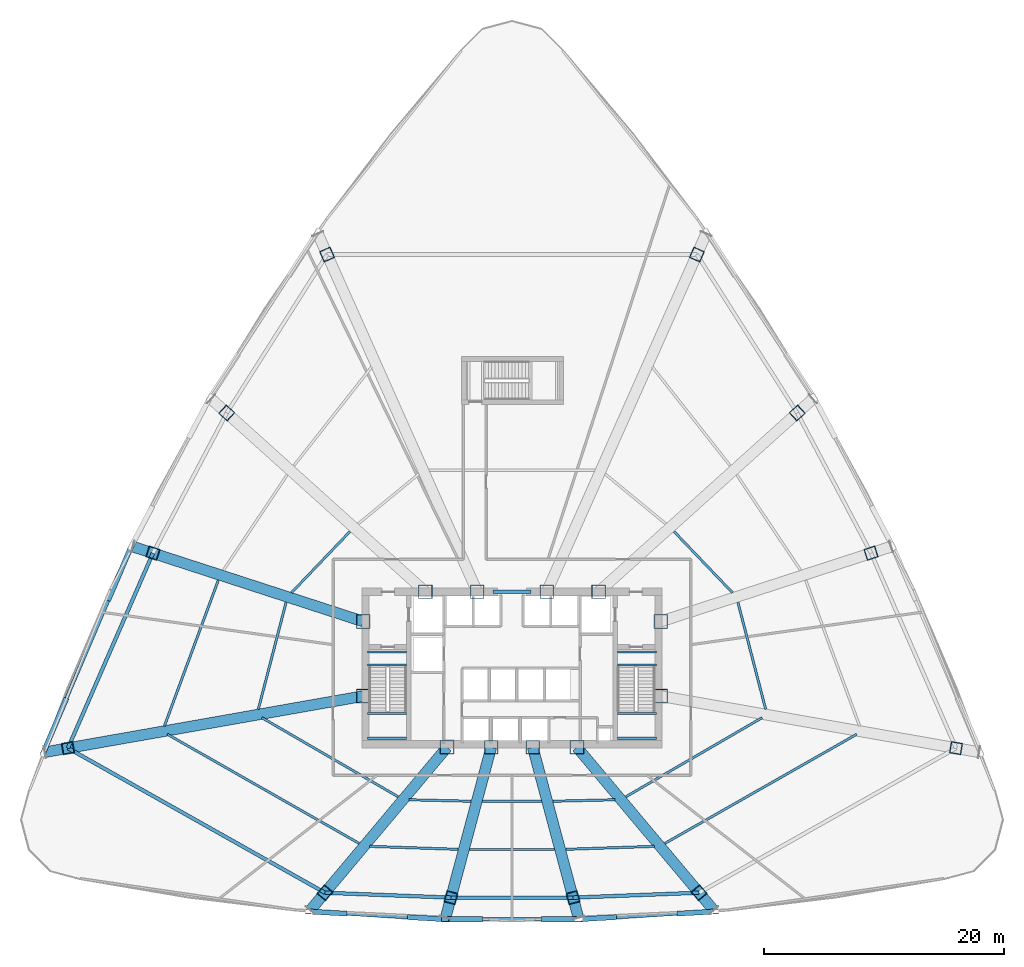
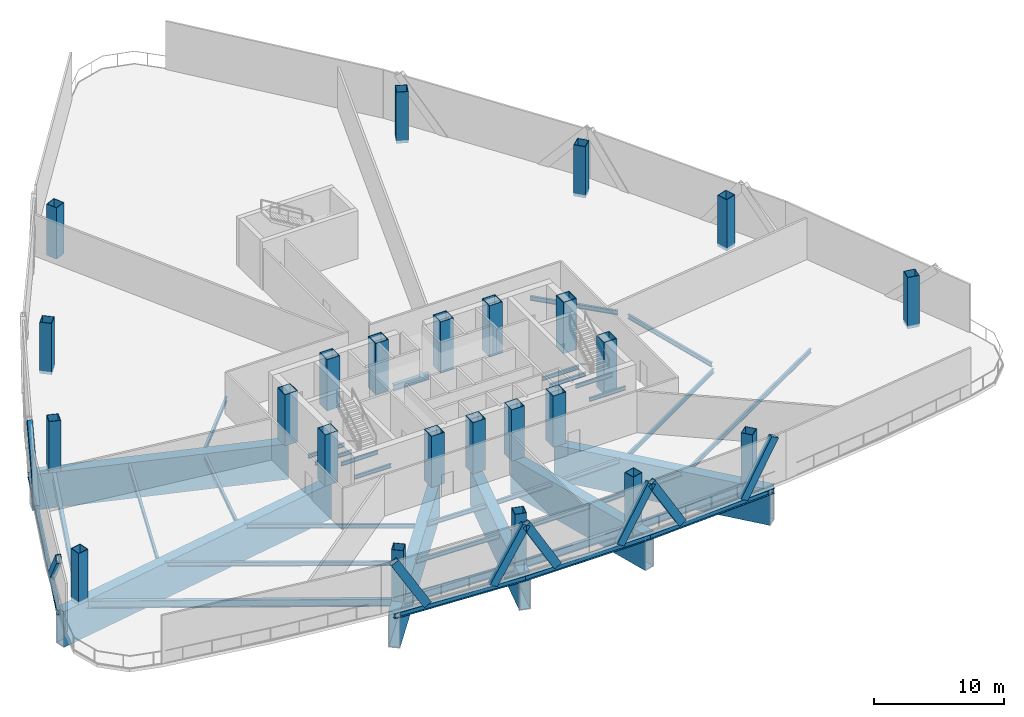
# One storey, part 1 of 15: 39 beams, 24 columns, 8 members.
"""IFC4 building model written with IfcOpenShell, lengths in metres."""

from ifc_helpers import new_model, si_unit, direction, frame, origin, origin_2d, place, context, subcontext, project, spatial, hollow_rectangle, i_section, extrude, source, transform, mapped, material, material_profile, profile_set, type_object, element, save


model = new_model("IFC4")

# Units and contexts
model_context = context("Model", 3, precision=1e-05, world=origin(), true_north=direction((0.0, 1.0)))
body_context = subcontext(model_context, "Body", "Model", "MODEL_VIEW")
ifc_project = project(units=[si_unit("LENGTHUNIT", "METRE"), si_unit("AREAUNIT", "SQUARE_METRE"), si_unit("VOLUMEUNIT", "CUBIC_METRE"), si_unit("PLANEANGLEUNIT", "RADIAN"), si_unit("MASSUNIT", "GRAM", prefix="KILO"), si_unit("THERMODYNAMICTEMPERATUREUNIT", "KELVIN"), si_unit("POWERUNIT", "WATT")], contexts=[model_context])

# Site, building, storey
site_placement = place(None, origin())
site = spatial("IfcSite", under=ifc_project, at=site_placement, CompositionType="ELEMENT")
building_placement = place(site_placement, origin())
building = spatial("IfcBuilding", under=site, at=building_placement, Name="Yunzhuo Pagoda Commons", CompositionType="ELEMENT")
storey_placement = place(building_placement, frame((0.0, 0.0, 125.030029296875)))
storey = spatial("IfcBuildingStorey", under=building, at=storey_placement, Name="L31", CompositionType="ELEMENT", Elevation=125.030029296875)

# Columns
ifc_material_1 = material(Name="Structural steel Q420B", Category="steel")
ifc_material_profile_1 = material_profile(ifc_material_1, hollow_rectangle(XDim=1.14990234375, YDim=1.14990234375, WallThickness=0.048095703125, at=origin_2d()), Name="Structural steel Q420B")
ifc_profile_set_1 = profile_set([ifc_material_profile_1], Name="Structural steel Q420B")
column_type_1 = type_object("IfcColumnType", Name="C-COR Column BOX 1150x1150x48", PredefinedType="COLUMN", material=ifc_profile_set_1)
shared_shape_1 = source(origin(), body_context, "Body", "SweptSolid", [
    extrude(hollow_rectangle(XDim=1.14990234375, YDim=1.14990234375, WallThickness=0.048095703125, at=origin_2d()), origin(), (0.0, 0.0, 1.0), 4.820068359375),
])
for number, where, z_axis, x_axis, name in (
    (1, (42.587890625, 27.25, -0.280029296875), (0.0, 0.0, 1.0), (1.0, 0.0, 0.0), "L31 core composite column F1C1"),
    (2, (46.27197265625, 27.25, -0.280029296875), (0.0, 0.0, 1.0), (1.0, 0.0, 0.0), "L31 core composite column F1C2"),
    (3, (49.728515625, 27.25, -0.280029296875), (0.0, 0.0, 1.0), (1.0, 0.0, 0.0), "L31 core composite column F1C3"),
    (4, (53.412109375, 27.25, -0.280029296875), (0.0, 0.0, 1.0), (1.0, 0.0, 0.0), "L31 core composite column F1C4"),
    (5, (60.39990234375, 31.513427734375, -0.280029296875), (0.0, 0.0, 1.0), (1.0, 0.0, 0.0), "L31 core composite column F2C1"),
    (6, (60.39990234375, 37.72900390625, -0.280029296875), (0.0, 0.0, 1.0), (1.0, 0.0, 0.0), "L31 core composite column F2C2"),
    (7, (55.218994140625, 40.199951171875, -0.280029296875), (0.0, 0.0, 1.0), (1.0, 0.0, 0.0), "L31 core composite column F2C3"),
    (8, (50.89404296875, 40.199951171875, -0.280029296875), (0.0, 0.0, 1.0), (1.0, 0.0, 0.0), "L31 core composite column F2C4"),
    (9, (45.10595703125, 40.199951171875, -0.280029296875), (0.0, 0.0, 1.0), (1.0, 0.0, 0.0), "L31 core composite column F3C1"),
    (10, (40.781005859375, 40.199951171875, -0.280029296875), (0.0, 0.0, 1.0), (1.0, 0.0, 0.0), "L31 core composite column F3C2"),
    (11, (35.60009765625, 37.72900390625, -0.280029296875), (0.0, 0.0, 1.0), (1.0, 0.0, 0.0), "L31 core composite column F3C3"),
    (12, (35.60009765625, 31.513427734375, -0.280029296875), (0.0, 0.0, 1.0), (1.0, 0.0, 0.0), "L31 core composite column F3C4"),
):
    element("IfcColumn", number, at=place(storey_placement, frame(where, z_axis=z_axis, x_axis=x_axis)), inside=storey, type_object=column_type_1, Name=name, PredefinedType="COLUMN", context=body_context, shape_type="MappedRepresentation", body=[
        mapped(shared_shape_1, transform((0.0, 0.0, 0.0), scale=1.0)),
    ])
ifc_material_profile_2 = material_profile(ifc_material_1, hollow_rectangle(XDim=0.949951171875, YDim=0.949951171875, WallThickness=0.0400390625, at=origin_2d()), Name="Structural steel Q420B")
ifc_profile_set_2 = profile_set([ifc_material_profile_2], Name="Structural steel Q420B")
column_type_2 = type_object("IfcColumnType", Name="C-Z3 Column BOX 950x950x40", PredefinedType="COLUMN", material=ifc_profile_set_2)
shared_shape_2 = source(origin(), body_context, "Body", "SweptSolid", [
    extrude(hollow_rectangle(XDim=0.949951171875, YDim=0.949951171875, WallThickness=0.0400390625, at=origin_2d()), origin(), (0.0, 0.0, 1.0), 4.820068359375),
])
for number, where, z_axis, x_axis, name in (
    (13, (32.414794921875, 15.126220703125, -0.280029296875), (0.0, 0.0, 1.0), (0.766044443119, -0.642787609687, 0.0), "L31 tower column F1C1"),
    (14, (42.914794921875, 14.7216796875, -0.280029296875), (0.0, 0.0, 1.0), (0.965925826289, -0.258819045103, 0.0), "L31 tower column F1C2"),
    (15, (53.085205078125, 14.7216796875, -0.280029296875), (0.0, 0.0, 1.0), (0.965925826289, 0.258819045103, 0.0), "L31 tower column F1C3"),
    (16, (63.585205078125, 15.126220703125, -0.280029296875), (0.0, 0.0, 1.0), (0.766044443119, 0.642787609687, 0.0), "L31 tower column F1C4"),
    (17, (84.9970703125, 27.176513671875, -0.280029296875), (0.0, 0.0, 1.0), (0.173648177667, 0.984807753012, 0.0), "L31 tower column F2C1"),
    (18, (77.915283203125, 43.420166015625, -0.280029296875), (0.0, 0.0, 1.0), (-0.309016994375, 0.951056516295, 0.0), "L31 tower column F2C2"),
    (19, (71.76611328125, 55.09912109375, -0.280029296875), (0.0, 0.0, 1.0), (-0.669130606359, 0.743144825477, 0.0), "L31 tower column F2C3"),
    (20, (63.406005859375, 68.302734375, -0.280029296875), (0.0, 0.0, 1.0), (-0.913545457643, 0.406736643076, 0.0), "L31 tower column F2C4"),
    (21, (32.593994140625, 68.302734375, -0.280029296875), (0.0, 0.0, 1.0), (-0.913545457643, -0.406736643076, 0.0), "L31 tower column F3C1"),
    (22, (24.23388671875, 55.09912109375, -0.280029296875), (0.0, 0.0, 1.0), (-0.669130606359, -0.743144825477, 0.0), "L31 tower column F3C2"),
    (23, (18.084716796875, 43.420166015625, -0.280029296875), (0.0, 0.0, 1.0), (-0.309016994375, -0.951056516295, 0.0), "L31 tower column F3C3"),
    (24, (11.0029296875, 27.176513671875, -0.280029296875), (0.0, 0.0, 1.0), (0.173648177667, -0.984807753012, 0.0), "L31 tower column F3C4"),
):
    element("IfcColumn", number, at=place(storey_placement, frame(where, z_axis=z_axis, x_axis=x_axis)), inside=storey, type_object=column_type_2, Name=name, PredefinedType="COLUMN", context=body_context, shape_type="MappedRepresentation", body=[
        mapped(shared_shape_2, transform((0.0, 0.0, 0.0), scale=1.0)),
    ])

# Beams
ifc_material_2 = material(Name="Structural steel Q355B", Category="steel")
ifc_material_profile_3 = material_profile(ifc_material_2, i_section(OverallWidth=0.175048828125, OverallDepth=0.35009765625, WebThickness=0.007080078125, FlangeThickness=0.010986328125, at=origin_2d()), Name="Structural steel Q355B")
ifc_profile_set_3 = profile_set([ifc_material_profile_3], Name="Structural steel Q355B")
beam_type_1 = type_object("IfcBeamType", Name="B-JS2 Joist HN 350x175x7x11", PredefinedType="JOIST", material=ifc_profile_set_3)
shared_shape_3 = source(origin(), body_context, "Body", "SweptSolid", [
    extrude(i_section(OverallWidth=0.175048828125, OverallDepth=0.35009765625, WebThickness=0.007080078125, FlangeThickness=0.010986328125, at=origin_2d()), origin(), (0.0, 0.0, 1.0), 3.25),
])
for number, where, z_axis, x_axis, name in (
    (25, (35.949951171875, 28.0, 2.02490234375), (1.0, 0.0, 0.0), (0.0, 1.0, 0.0), "L31 ST1 landing support beam 37A"),
    (26, (35.949951171875, 30.06005859375, 2.02490234375), (1.0, 0.0, 0.0), (0.0, 1.0, 0.0), "L31 ST1 landing support beam 37B"),
    (27, (35.949951171875, 34.10009765625, -0.375), (1.0, 0.0, 0.0), (0.0, 1.0, 0.0), "L31 ST1 landing support beam 135A"),
    (28, (35.949951171875, 35.199951171875, -0.375), (1.0, 0.0, 0.0), (0.0, 1.0, 0.0), "L31 ST1 landing support beam 135B"),
    (29, (56.800048828125, 28.0, 2.02490234375), (1.0, 0.0, 0.0), (0.0, 1.0, 0.0), "L31 ST2 landing support beam 37A"),
    (30, (56.800048828125, 30.06005859375, 2.02490234375), (1.0, 0.0, 0.0), (0.0, 1.0, 0.0), "L31 ST2 landing support beam 37B"),
    (31, (56.800048828125, 34.10009765625, -0.375), (1.0, 0.0, 0.0), (0.0, 1.0, 0.0), "L31 ST2 landing support beam 135A"),
    (32, (56.800048828125, 35.199951171875, -0.375), (1.0, 0.0, 0.0), (0.0, 1.0, 0.0), "L31 ST2 landing support beam 135B"),
):
    element("IfcBeam", number, at=place(storey_placement, frame(where, z_axis=z_axis, x_axis=x_axis)), inside=storey, type_object=beam_type_1, Name=name, PredefinedType="JOIST", context=body_context, shape_type="MappedRepresentation", body=[
        mapped(shared_shape_3, transform((0.0, 0.0, 0.0), scale=1.0)),
    ])
ifc_material_profile_4 = material_profile(ifc_material_1, i_section(OverallWidth=0.300048828125, OverallDepth=0.587890625, WebThickness=0.011962890625, FlangeThickness=0.02001953125, at=origin_2d()), Name="Structural steel Q420B")
ifc_profile_set_4 = profile_set([ifc_material_profile_4], Name="Structural steel Q420B")
beam_type_2 = type_object("IfcBeamType", Name="B-CPL Beam HM 588x300x12x20", PredefinedType="BEAM", material=ifc_profile_set_4)
shared_shape_4 = source(origin(), body_context, "Body", "SweptSolid", [
    extrude(i_section(OverallWidth=0.300048828125, OverallDepth=0.587890625, WebThickness=0.011962890625, FlangeThickness=0.02001953125, at=origin_2d()), origin(), (0.0, 0.0, 1.0), 3.2001953125),
])
beam_1_placement = place(storey_placement, frame((46.39990234375, 40.199951171875, -0.573974609375), z_axis=(1.0, 0.0, 0.0), x_axis=(0.0, 1.0, 0.0)))
element("IfcBeam", 33, at=beam_1_placement, inside=storey, type_object=beam_type_2, Name="L31 core coupling girder", PredefinedType="BEAM", context=body_context, shape_type="MappedRepresentation", body=[
    mapped(shared_shape_4, transform((0.0, 0.0, 0.0), scale=1.0)),
])
ifc_material_profile_5 = material_profile(ifc_material_1, hollow_rectangle(XDim=0.89990234375, YDim=3.35009765625, WallThickness=0.048095703125, at=origin_2d()), Name="Structural steel Q420B")
ifc_profile_set_5 = profile_set([ifc_material_profile_5], Name="Structural steel Q420B")
beam_type_3 = type_object("IfcBeamType", Name="BTR-2 Beam BOX 3350x900x48", PredefinedType="BEAM", material=ifc_profile_set_5)
shared_shape_5 = source(origin(), body_context, "Body", "SweptSolid", [
    extrude(hollow_rectangle(XDim=0.89990234375, YDim=3.35009765625, WallThickness=0.048095703125, at=origin_2d()), origin(), (0.0, 0.0, 1.0), 17.714111328125),
])
for number, where, z_axis, x_axis, name in (
    (34, (31.201416015625, 13.68017578125, -1.955078125), (0.6427889385, 0.76604332811, 0.0), (-0.76604332811, 0.6427889385, 0.0), "BTR-2 L31 collinear transfer girder F1C1"),
    (35, (64.798583984375, 13.68017578125, -1.955078125), (-0.6427889385, 0.76604332811, 0.0), (-0.76604332811, -0.6427889385, 0.0), "BTR-2 L31 collinear transfer girder F1C4"),
):
    element("IfcBeam", number, at=place(storey_placement, frame(where, z_axis=z_axis, x_axis=x_axis)), inside=storey, type_object=beam_type_3, Name=name, PredefinedType="BEAM", context=body_context, shape_type="MappedRepresentation", body=[
        mapped(shared_shape_5, transform((0.0, 0.0, 0.0), scale=1.0)),
    ])
shared_shape_6 = source(origin(), body_context, "Body", "SweptSolid", [
    extrude(hollow_rectangle(XDim=0.89990234375, YDim=3.35009765625, WallThickness=0.048095703125, at=origin_2d()), origin(), (0.0, 0.0, 1.0), 14.68310546875),
])
for number, where, z_axis, x_axis, name in (
    (36, (42.4716796875, 13.067138671875, -1.955078125), (0.258819472716, 0.96592571171, 0.0), (-0.96592571171, 0.258819472716, 0.0), "BTR-2 L31 collinear transfer girder F1C2"),
    (37, (53.52880859375, 13.067138671875, -1.955078125), (-0.258819472716, 0.96592571171, 0.0), (-0.96592571171, -0.258819472716, 0.0), "BTR-2 L31 collinear transfer girder F1C3"),
):
    element("IfcBeam", number, at=place(storey_placement, frame(where, z_axis=z_axis, x_axis=x_axis)), inside=storey, type_object=beam_type_3, Name=name, PredefinedType="BEAM", context=body_context, shape_type="MappedRepresentation", body=[
        mapped(shared_shape_6, transform((0.0, 0.0, 0.0), scale=1.0)),
    ])
shared_shape_7 = source(origin(), body_context, "Body", "SweptSolid", [
    extrude(hollow_rectangle(XDim=0.89990234375, YDim=3.35009765625, WallThickness=0.048095703125, at=origin_2d()), origin(), (0.0, 0.0, 1.0), 26.904052734375),
])
beam_2_placement = place(storey_placement, frame((9.104736328125, 26.841796875, -1.955078125), z_axis=(0.984809127253, 0.173640383782, 0.0), x_axis=(-0.173640383782, 0.984809127253, 0.0)))
element("IfcBeam", 38, at=beam_2_placement, inside=storey, type_object=beam_type_3, Name="BTR-2 L31 collinear transfer girder F3C4", PredefinedType="BEAM", context=body_context, shape_type="MappedRepresentation", body=[
    mapped(shared_shape_7, transform((0.0, 0.0, 0.0), scale=1.0)),
])
shared_shape_8 = source(origin(), body_context, "Body", "SweptSolid", [
    extrude(hollow_rectangle(XDim=0.89990234375, YDim=3.35009765625, WallThickness=0.048095703125, at=origin_2d()), origin(), (0.0, 0.0, 1.0), 20.159912109375),
])
beam_3_placement = place(storey_placement, frame((16.427001953125, 43.958740234375, -1.955078125), z_axis=(0.951056226242, -0.309017887067, 0.0), x_axis=(0.309017887067, 0.951056226242, 0.0)))
element("IfcBeam", 39, at=beam_3_placement, inside=storey, type_object=beam_type_3, Name="BTR-2 L31 collinear transfer girder F3C3", PredefinedType="BEAM", context=body_context, shape_type="MappedRepresentation", body=[
    mapped(shared_shape_8, transform((0.0, 0.0, 0.0), scale=1.0)),
])
ifc_material_profile_6 = material_profile(ifc_material_2, i_section(OverallWidth=0.300048828125, OverallDepth=0.488037109375, WebThickness=0.010986328125, FlangeThickness=0.01806640625, at=origin_2d()), Name="Structural steel Q355B")
ifc_profile_set_6 = profile_set([ifc_material_profile_6], Name="Structural steel Q355B")
beam_type_4 = type_object("IfcBeamType", Name="B-SP1 Beam HM 488x300x11x18", PredefinedType="BEAM", material=ifc_profile_set_6)
shared_shape_9 = source(origin(), body_context, "Body", "SweptSolid", [
    extrude(i_section(OverallWidth=0.300048828125, OverallDepth=0.488037109375, WebThickness=0.010986328125, FlangeThickness=0.01806640625, at=origin_2d()), origin(), (0.0, 0.0, 1.0), 11.34814453125),
])
beam_4_placement = place(storey_placement, frame((31.101806640625, 13.561279296875, -0.523681640625), z_axis=(0.998390672401, -0.056710362929, 0.0), x_axis=(0.056710362929, 0.998390672401, 0.0)))
element("IfcBeam", 40, at=beam_4_placement, inside=storey, type_object=beam_type_4, Name="L31 facade edge spandrel beam F1.1", PredefinedType="BEAM", context=body_context, shape_type="MappedRepresentation", body=[
    mapped(shared_shape_9, transform((0.0, 0.0, 0.0), scale=1.0)),
])
shared_shape_10 = source(origin(), body_context, "Body", "SweptSolid", [
    extrude(i_section(OverallWidth=0.300048828125, OverallDepth=0.488037109375, WebThickness=0.010986328125, FlangeThickness=0.01806640625, at=origin_2d()), origin(), (0.0, 0.0, 1.0), 11.13720703125),
])
beam_5_placement = place(storey_placement, frame((42.431640625, 12.917724609375, -0.523681640625), z_axis=(1.0, 0.0, 0.0), x_axis=(0.0, 1.0, 0.0)))
element("IfcBeam", 41, at=beam_5_placement, inside=storey, type_object=beam_type_4, Name="L31 facade edge spandrel beam F1.2", PredefinedType="BEAM", context=body_context, shape_type="MappedRepresentation", body=[
    mapped(shared_shape_10, transform((0.0, 0.0, 0.0), scale=1.0)),
])
shared_shape_11 = source(origin(), body_context, "Body", "SweptSolid", [
    extrude(i_section(OverallWidth=0.300048828125, OverallDepth=0.488037109375, WebThickness=0.010986328125, FlangeThickness=0.01806640625, at=origin_2d()), origin(), (0.0, 0.0, 1.0), 11.34765625),
])
beam_6_placement = place(storey_placement, frame((53.56884765625, 12.917724609375, -0.523681640625), z_axis=(0.998390534012, 0.056712799217, 0.0), x_axis=(-0.056712799217, 0.998390534012, 0.0)))
element("IfcBeam", 42, at=beam_6_placement, inside=storey, type_object=beam_type_4, Name="L31 facade edge spandrel beam F1.3", PredefinedType="BEAM", context=body_context, shape_type="MappedRepresentation", body=[
    mapped(shared_shape_11, transform((0.0, 0.0, 0.0), scale=1.0)),
])
shared_shape_12 = source(origin(), body_context, "Body", "SweptSolid", [
    extrude(i_section(OverallWidth=0.300048828125, OverallDepth=0.488037109375, WebThickness=0.010986328125, FlangeThickness=0.01806640625, at=origin_2d()), origin(), (0.0, 0.0, 1.0), 18.688232421875),
])
beam_7_placement = place(storey_placement, frame((16.279541015625, 44.006591796875, -0.523681640625), z_axis=(-0.392084847938, -0.919929058144, 0.0), x_axis=(0.919929058144, -0.392084847938, 0.0)))
element("IfcBeam", 43, at=beam_7_placement, inside=storey, type_object=beam_type_4, Name="L31 facade edge spandrel beam F3.3", PredefinedType="BEAM", context=body_context, shape_type="MappedRepresentation", body=[
    mapped(shared_shape_12, transform((0.0, 0.0, 0.0), scale=1.0)),
])
ifc_material_profile_7 = material_profile(ifc_material_2, i_section(OverallWidth=0.300048828125, OverallDepth=0.699951171875, WebThickness=0.012939453125, FlangeThickness=0.02392578125, at=origin_2d()), Name="Structural steel Q355B")
ifc_profile_set_7 = profile_set([ifc_material_profile_7], Name="Structural steel Q355B")
beam_type_5 = type_object("IfcBeamType", Name="B-RG1 Beam HN 700x300x13x24", PredefinedType="BEAM", material=ifc_profile_set_7)
shared_shape_13 = source(origin(), body_context, "Body", "SweptSolid", [
    extrude(i_section(OverallWidth=0.300048828125, OverallDepth=0.699951171875, WebThickness=0.012939453125, FlangeThickness=0.02392578125, at=origin_2d()), origin(), (0.0, 0.0, 1.0), 10.5078125),
])
for number, where, z_axis, x_axis, name in (
    (44, (32.414794921875, 15.126220703125, -0.630126953125), (0.999258632812, -0.03849915259, 0.0), (0.03849915259, 0.999258632812, 0.0), "L31 column-ring beam 1"),
    (45, (53.085205078125, 14.7216796875, -0.630126953125), (0.999258632812, 0.03849915259, 0.0), (-0.03849915259, 0.999258632812, 0.0), "L31 column-ring beam 3"),
):
    element("IfcBeam", number, at=place(storey_placement, frame(where, z_axis=z_axis, x_axis=x_axis)), inside=storey, type_object=beam_type_5, Name=name, PredefinedType="BEAM", context=body_context, shape_type="MappedRepresentation", body=[
        mapped(shared_shape_13, transform((0.0, 0.0, 0.0), scale=1.0)),
    ])
ifc_material_profile_8 = material_profile(ifc_material_2, i_section(OverallWidth=0.199951171875, OverallDepth=0.39990234375, WebThickness=0.008056640625, FlangeThickness=0.012939453125, at=origin_2d()), Name="Structural steel Q355B")
ifc_profile_set_8 = profile_set([ifc_material_profile_8], Name="Structural steel Q355B")
beam_type_6 = type_object("IfcBeamType", Name="B-JS1 Joist HN 400x200x8x13", PredefinedType="JOIST", material=ifc_profile_set_8)
shared_shape_14 = source(origin(), body_context, "Body", "SweptSolid", [
    extrude(i_section(OverallWidth=0.199951171875, OverallDepth=0.39990234375, WebThickness=0.008056640625, FlangeThickness=0.012939453125, at=origin_2d()), origin(), (0.0, 0.0, 1.0), 5.185302734375),
])
for number, where, z_axis, x_axis, name in (
    (46, (39.40234375, 22.8740234375, -0.47998046875), (0.999718405035, -0.023729952251, 0.0), (0.023729952251, 0.999718405035, 0.0), "L31 composite ring joist 1.1"),
    (47, (51.413818359375, 22.7509765625, -0.47998046875), (0.999718405035, 0.023729952251, 0.0), (-0.023729952251, 0.999718405035, 0.0), "L31 composite ring joist 1.3"),
):
    element("IfcBeam", number, at=place(storey_placement, frame(where, z_axis=z_axis, x_axis=x_axis)), inside=storey, type_object=beam_type_6, Name=name, PredefinedType="JOIST", context=body_context, shape_type="MappedRepresentation", body=[
        mapped(shared_shape_14, transform((0.0, 0.0, 0.0), scale=1.0)),
    ])
shared_shape_15 = source(origin(), body_context, "Body", "SweptSolid", [
    extrude(i_section(OverallWidth=0.199951171875, OverallDepth=0.39990234375, WebThickness=0.008056640625, FlangeThickness=0.012939453125, at=origin_2d()), origin(), (0.0, 0.0, 1.0), 7.369384765625),
])
for number, where, z_axis, x_axis, name in (
    (48, (36.14697265625, 18.989990234375, -0.47998046875), (0.999453258847, -0.033063323798, 0.0), (0.033063323798, 0.999453258847, 0.0), "L31 composite ring joist 2.1"),
    (49, (52.48779296875, 18.746337890625, -0.47998046875), (0.999453258847, 0.033063323798, 0.0), (-0.033063323798, 0.999453258847, 0.0), "L31 composite ring joist 2.3"),
):
    element("IfcBeam", number, at=place(storey_placement, frame(where, z_axis=z_axis, x_axis=x_axis)), inside=storey, type_object=beam_type_6, Name=name, PredefinedType="JOIST", context=body_context, shape_type="MappedRepresentation", body=[
        mapped(shared_shape_15, transform((0.0, 0.0, 0.0), scale=1.0)),
    ])
shared_shape_16 = source(origin(), body_context, "Body", "SweptSolid", [
    extrude(i_section(OverallWidth=0.300048828125, OverallDepth=0.699951171875, WebThickness=0.012939453125, FlangeThickness=0.02392578125, at=origin_2d()), origin(), (0.0, 0.0, 1.0), 10.17041015625),
])
beam_8_placement = place(storey_placement, frame((42.914794921875, 14.7216796875, -0.630126953125), z_axis=(1.0, 0.0, 0.0), x_axis=(0.0, 1.0, 0.0)))
element("IfcBeam", 50, at=beam_8_placement, inside=storey, type_object=beam_type_5, Name="L31 column-ring beam 2", PredefinedType="BEAM", context=body_context, shape_type="MappedRepresentation", body=[
    mapped(shared_shape_16, transform((0.0, 0.0, 0.0), scale=1.0)),
])
shared_shape_17 = source(origin(), body_context, "Body", "SweptSolid", [
    extrude(i_section(OverallWidth=0.199951171875, OverallDepth=0.39990234375, WebThickness=0.008056640625, FlangeThickness=0.012939453125, at=origin_2d()), origin(), (0.0, 0.0, 1.0), 4.91943359375),
])
beam_9_placement = place(storey_placement, frame((45.540283203125, 22.73974609375, -0.47998046875), z_axis=(1.0, 0.0, 0.0), x_axis=(0.0, 1.0, 0.0)))
element("IfcBeam", 51, at=beam_9_placement, inside=storey, type_object=beam_type_6, Name="L31 composite ring joist 1.2", PredefinedType="JOIST", context=body_context, shape_type="MappedRepresentation", body=[
    mapped(shared_shape_17, transform((0.0, 0.0, 0.0), scale=1.0)),
])
shared_shape_18 = source(origin(), body_context, "Body", "SweptSolid", [
    extrude(i_section(OverallWidth=0.199951171875, OverallDepth=0.39990234375, WebThickness=0.008056640625, FlangeThickness=0.012939453125, at=origin_2d()), origin(), (0.0, 0.0, 1.0), 7.068359375),
])
beam_10_placement = place(storey_placement, frame((44.4658203125, 18.730712890625, -0.47998046875), z_axis=(1.0, 0.0, 0.0), x_axis=(0.0, 1.0, 0.0)))
element("IfcBeam", 52, at=beam_10_placement, inside=storey, type_object=beam_type_6, Name="L31 composite ring joist 2.2", PredefinedType="JOIST", context=body_context, shape_type="MappedRepresentation", body=[
    mapped(shared_shape_18, transform((0.0, 0.0, 0.0), scale=1.0)),
])
shared_shape_19 = source(origin(), body_context, "Body", "SweptSolid", [
    extrude(i_section(OverallWidth=0.300048828125, OverallDepth=0.699951171875, WebThickness=0.012939453125, FlangeThickness=0.02392578125, at=origin_2d()), origin(), (0.0, 0.0, 1.0), 24.56982421875),
])
beam_11_placement = place(storey_placement, frame((11.0029296875, 27.176513671875, -0.630126953125), z_axis=(0.871469103633, -0.490450406681, 0.0), x_axis=(0.490450406681, 0.871469103633, 0.0)))
element("IfcBeam", 53, at=beam_11_placement, inside=storey, type_object=beam_type_5, Name="L31 column-ring beam 12", PredefinedType="BEAM", context=body_context, shape_type="MappedRepresentation", body=[
    mapped(shared_shape_19, transform((0.0, 0.0, 0.0), scale=1.0)),
])
shared_shape_20 = source(origin(), body_context, "Body", "SweptSolid", [
    extrude(i_section(OverallWidth=0.199951171875, OverallDepth=0.39990234375, WebThickness=0.008056640625, FlangeThickness=0.012939453125, at=origin_2d()), origin(), (0.0, 0.0, 1.0), 13.127685546875),
])
beam_12_placement = place(storey_placement, frame((57.4873046875, 23.124755859375, -0.47998046875), z_axis=(0.864956924481, 0.501846110667, 0.0), x_axis=(-0.501846110667, 0.864956924481, 0.0)))
element("IfcBeam", 54, at=beam_12_placement, inside=storey, type_object=beam_type_6, Name="L31 composite ring joist 1.4", PredefinedType="JOIST", context=body_context, shape_type="MappedRepresentation", body=[
    mapped(shared_shape_20, transform((0.0, 0.0, 0.0), scale=1.0)),
])
shared_shape_21 = source(origin(), body_context, "Body", "SweptSolid", [
    extrude(i_section(OverallWidth=0.199951171875, OverallDepth=0.39990234375, WebThickness=0.008056640625, FlangeThickness=0.012939453125, at=origin_2d()), origin(), (0.0, 0.0, 1.0), 18.37158203125),
])
for number, where, z_axis, x_axis, name in (
    (55, (60.744384765625, 19.24169921875, -0.47998046875), (0.869117640328, 0.49460542584, 0.0), (-0.49460542584, 0.869117640328, 0.0), "L31 composite ring joist 2.4"),
    (56, (19.28857421875, 28.328369140625, -0.47998046875), (0.869117640328, -0.49460542584, 0.0), (0.49460542584, 0.869117640328, 0.0), "L31 composite ring joist 2.12"),
):
    element("IfcBeam", number, at=place(storey_placement, frame(where, z_axis=z_axis, x_axis=x_axis)), inside=storey, type_object=beam_type_6, Name=name, PredefinedType="JOIST", context=body_context, shape_type="MappedRepresentation", body=[
        mapped(shared_shape_21, transform((0.0, 0.0, 0.0), scale=1.0)),
    ])
shared_shape_22 = source(origin(), body_context, "Body", "SweptSolid", [
    extrude(i_section(OverallWidth=0.300048828125, OverallDepth=0.699951171875, WebThickness=0.012939453125, FlangeThickness=0.02392578125, at=origin_2d()), origin(), (0.0, 0.0, 1.0), 17.72021484375),
])
beam_13_placement = place(storey_placement, frame((18.084716796875, 43.420166015625, -0.630126953125), z_axis=(-0.399643307961, -0.916670729544, 0.0), x_axis=(0.916670729544, -0.399643307961, 0.0)))
element("IfcBeam", 57, at=beam_13_placement, inside=storey, type_object=beam_type_5, Name="L31 column-ring beam 11", PredefinedType="BEAM", context=body_context, shape_type="MappedRepresentation", body=[
    mapped(shared_shape_22, transform((0.0, 0.0, 0.0), scale=1.0)),
])
shared_shape_23 = source(origin(), body_context, "Body", "SweptSolid", [
    extrude(i_section(OverallWidth=0.199951171875, OverallDepth=0.39990234375, WebThickness=0.008056640625, FlangeThickness=0.012939453125, at=origin_2d()), origin(), (0.0, 0.0, 1.0), 9.197265625),
])
for number, where, z_axis, x_axis, name in (
    (58, (69.13525390625, 30.413818359375, -0.47998046875), (-0.25117035169, 0.967942898332, 0.0), (-0.967942898332, -0.25117035169, 0.0), "L31 composite ring joist 1.5"),
    (59, (29.1748046875, 39.316162109375, -0.47998046875), (-0.25117035169, -0.967942898332, 0.0), (0.967942898332, -0.25117035169, 0.0), "L31 composite ring joist 1.11"),
):
    element("IfcBeam", number, at=place(storey_placement, frame(where, z_axis=z_axis, x_axis=x_axis)), inside=storey, type_object=beam_type_6, Name=name, PredefinedType="JOIST", context=body_context, shape_type="MappedRepresentation", body=[
        mapped(shared_shape_23, transform((0.0, 0.0, 0.0), scale=1.0)),
    ])
shared_shape_24 = source(origin(), body_context, "Body", "SweptSolid", [
    extrude(i_section(OverallWidth=0.199951171875, OverallDepth=0.39990234375, WebThickness=0.008056640625, FlangeThickness=0.012939453125, at=origin_2d()), origin(), (0.0, 0.0, 1.0), 12.94189453125),
])
beam_14_placement = place(storey_placement, frame((23.5244140625, 41.151611328125, -0.47998046875), z_axis=(-0.346556688141, -0.938029030417, 0.0), x_axis=(0.938029030417, -0.346556688141, 0.0)))
element("IfcBeam", 60, at=beam_14_placement, inside=storey, type_object=beam_type_6, Name="L31 composite ring joist 2.11", PredefinedType="JOIST", context=body_context, shape_type="MappedRepresentation", body=[
    mapped(shared_shape_24, transform((0.0, 0.0, 0.0), scale=1.0)),
])
shared_shape_25 = source(origin(), body_context, "Body", "SweptSolid", [
    extrude(i_section(OverallWidth=0.199951171875, OverallDepth=0.39990234375, WebThickness=0.008056640625, FlangeThickness=0.012939453125, at=origin_2d()), origin(), (0.0, 0.0, 1.0), 7.04931640625),
])
for number, where, z_axis, x_axis, name in (
    (61, (66.3759765625, 40.12255859375, -0.47998046875), (-0.690907252998, 0.722943405638, 0.0), (-0.722943405638, -0.690907252998, 0.0), "L31 composite ring joist 1.6"),
    (62, (34.494384765625, 45.21875, -0.47998046875), (-0.690907252998, -0.722943405638, 0.0), (0.722943405638, -0.690907252998, 0.0), "L31 composite ring joist 1.10"),
):
    element("IfcBeam", number, at=place(storey_placement, frame(where, z_axis=z_axis, x_axis=x_axis)), inside=storey, type_object=beam_type_6, Name=name, PredefinedType="JOIST", context=body_context, shape_type="MappedRepresentation", body=[
        mapped(shared_shape_25, transform((0.0, 0.0, 0.0), scale=1.0)),
    ])
shared_shape_26 = source(origin(), body_context, "Body", "SweptSolid", [
    extrude(i_section(OverallWidth=0.199951171875, OverallDepth=0.39990234375, WebThickness=0.008056640625, FlangeThickness=0.012939453125, at=origin_2d()), origin(), (0.0, 0.0, 1.0), 13.128173828125),
])
beam_15_placement = place(storey_placement, frame((27.15771484375, 29.712890625, -0.47998046875), z_axis=(0.864966291434, -0.501829965908, 0.0), x_axis=(0.501829965908, 0.864966291434, 0.0)))
element("IfcBeam", 63, at=beam_15_placement, inside=storey, type_object=beam_type_6, Name="L31 composite ring joist 1.12", PredefinedType="JOIST", context=body_context, shape_type="MappedRepresentation", body=[
    mapped(shared_shape_26, transform((0.0, 0.0, 0.0), scale=1.0)),
])

# Members
ifc_material_profile_9 = material_profile(ifc_material_1, hollow_rectangle(XDim=0.419921875, YDim=0.719970703125, WallThickness=0.028076171875, at=origin_2d()), Name="Structural steel Q420B")
ifc_profile_set_9 = profile_set([ifc_material_profile_9], Name="Structural steel Q420B")
member_type = type_object("IfcMemberType", Name="M-DL1 Brace BOX 720x420x28", PredefinedType="BRACE", material=ifc_profile_set_9)
shared_shape_27 = source(origin(), body_context, "Body", "SweptSolid", [
    extrude(hollow_rectangle(XDim=0.419921875, YDim=0.719970703125, WallThickness=0.028076171875, at=origin_2d()), origin(), (0.0, 0.0, 1.0), 5.593017578125),
])
for number, where, z_axis, x_axis, name in (
    (64, (33.93408203125, 13.400390625, -0.280029296875), (-0.506403912716, 0.028766501033, 0.861816433821), (-0.056714017439, -0.998390464811, 0.0), "L31 facade diamond brace F1.1L"),
    (65, (56.401123046875, 13.07861328125, -0.280029296875), (-0.506403912716, -0.028766501033, 0.861816433821), (0.056714017439, -0.998390464811, 0.0), "L31 facade diamond brace F1.3L"),
    (66, (62.06591796875, 13.400390625, -0.280029296875), (0.506403912716, 0.028766501033, 0.861816433821), (-0.056714017439, 0.998390464811, 0.0), "L31 facade diamond brace F1.3R"),
):
    element("IfcMember", number, at=place(storey_placement, frame(where, z_axis=z_axis, x_axis=x_axis)), inside=storey, type_object=member_type, Name=name, PredefinedType="BRACE", context=body_context, shape_type="MappedRepresentation", body=[
        mapped(shared_shape_27, transform((0.0, 0.0, 0.0), scale=1.0)),
    ])
shared_shape_28 = source(origin(), body_context, "Body", "SweptSolid", [
    extrude(hollow_rectangle(XDim=0.419921875, YDim=0.719970703125, WallThickness=0.028076171875, at=origin_2d()), origin(), (0.0, 0.0, 1.0), 5.59326171875),
])
member_1_placement = place(storey_placement, frame((39.598876953125, 13.07861328125, -0.280029296875), z_axis=(0.506468823367, -0.028765229216, 0.861778331443), x_axis=(0.056704273124, 0.998391018294, 0.0)))
element("IfcMember", 67, at=member_1_placement, inside=storey, type_object=member_type, Name="L31 facade diamond brace F1.1R", PredefinedType="BRACE", context=body_context, shape_type="MappedRepresentation", body=[
    mapped(shared_shape_28, transform((0.0, 0.0, 0.0), scale=1.0)),
])
shared_shape_29 = source(origin(), body_context, "Body", "SweptSolid", [
    extrude(hollow_rectangle(XDim=0.419921875, YDim=0.719970703125, WallThickness=0.028076171875, at=origin_2d()), origin(), (0.0, 0.0, 1.0), 5.566162109375),
])
member_2_placement = place(storey_placement, frame((45.215576171875, 12.917724609375, -0.280029296875), z_axis=(-0.50014386622, 0.0, 0.865942326649), x_axis=(0.0, -1.0, 0.0)))
element("IfcMember", 68, at=member_2_placement, inside=storey, type_object=member_type, Name="L31 facade diamond brace F1.2L", PredefinedType="BRACE", context=body_context, shape_type="MappedRepresentation", body=[
    mapped(shared_shape_29, transform((0.0, 0.0, 0.0), scale=1.0)),
])
shared_shape_30 = source(origin(), body_context, "Body", "SweptSolid", [
    extrude(hollow_rectangle(XDim=0.419921875, YDim=0.719970703125, WallThickness=0.028076171875, at=origin_2d()), origin(), (0.0, 0.0, 1.0), 5.56640625),
])
member_3_placement = place(storey_placement, frame((50.784423828125, 12.917724609375, -0.280029296875), z_axis=(0.500209640359, 0.0, 0.86590433403), x_axis=(0.0, 1.0, 0.0)))
element("IfcMember", 69, at=member_3_placement, inside=storey, type_object=member_type, Name="L31 facade diamond brace F1.2R", PredefinedType="BRACE", context=body_context, shape_type="MappedRepresentation", body=[
    mapped(shared_shape_30, transform((0.0, 0.0, 0.0), scale=1.0)),
])
shared_shape_31 = source(origin(), body_context, "Body", "SweptSolid", [
    extrude(hollow_rectangle(XDim=0.419921875, YDim=0.719970703125, WallThickness=0.028076171875, at=origin_2d()), origin(), (0.0, 0.0, 1.0), 6.712890625),
])
for number, where, z_axis, x_axis, name in (
    (70, (14.447509765625, 39.70849609375, -0.280029296875), (0.272912049289, 0.640274070859, 0.718030728826), (-0.919918938864, 0.392108589448, 0.0), "L31 facade diamond brace F3.3L"),
    (71, (10.7841796875, 31.11279296875, -0.280029296875), (-0.272912049289, -0.640274070859, 0.718030728826), (0.919918938864, -0.392108589448, 0.0), "L31 facade diamond brace F3.3R"),
):
    element("IfcMember", number, at=place(storey_placement, frame(where, z_axis=z_axis, x_axis=x_axis)), inside=storey, type_object=member_type, Name=name, PredefinedType="BRACE", context=body_context, shape_type="MappedRepresentation", body=[
        mapped(shared_shape_31, transform((0.0, 0.0, 0.0), scale=1.0)),
    ])

save(model, "model.ifc")
